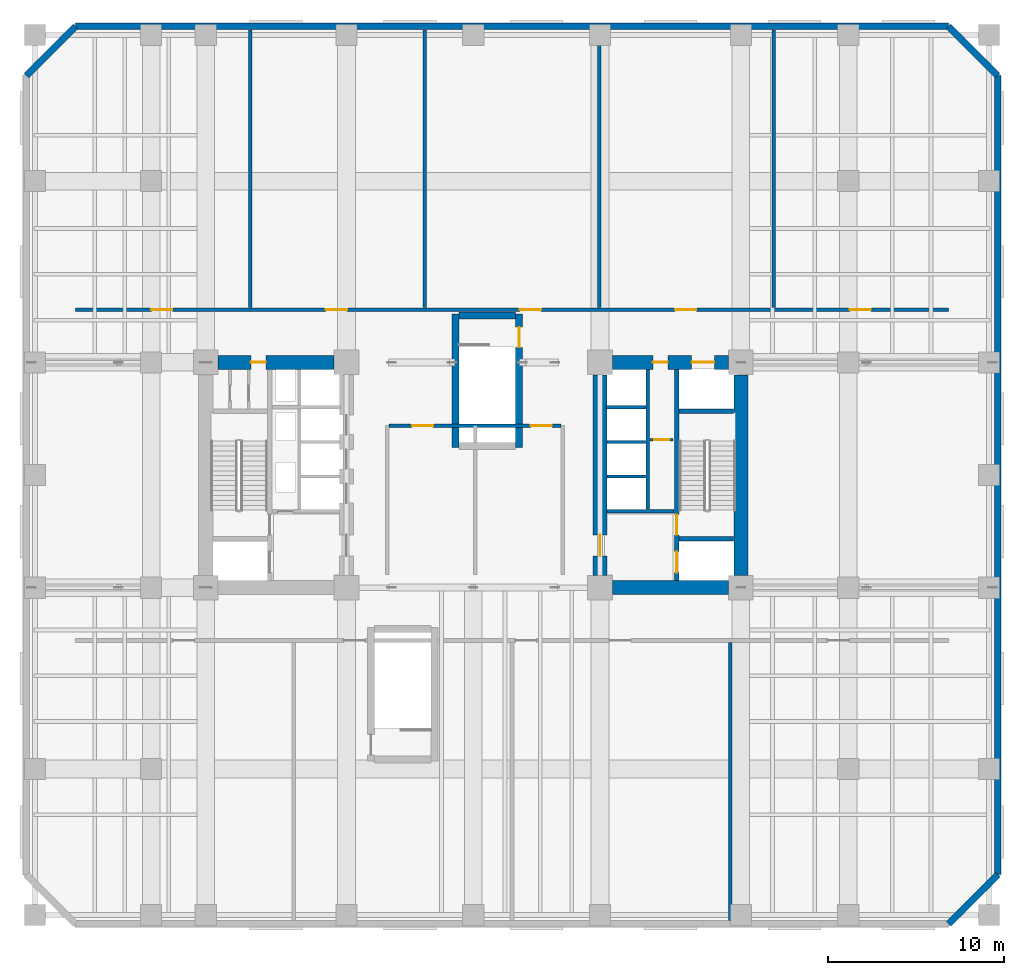
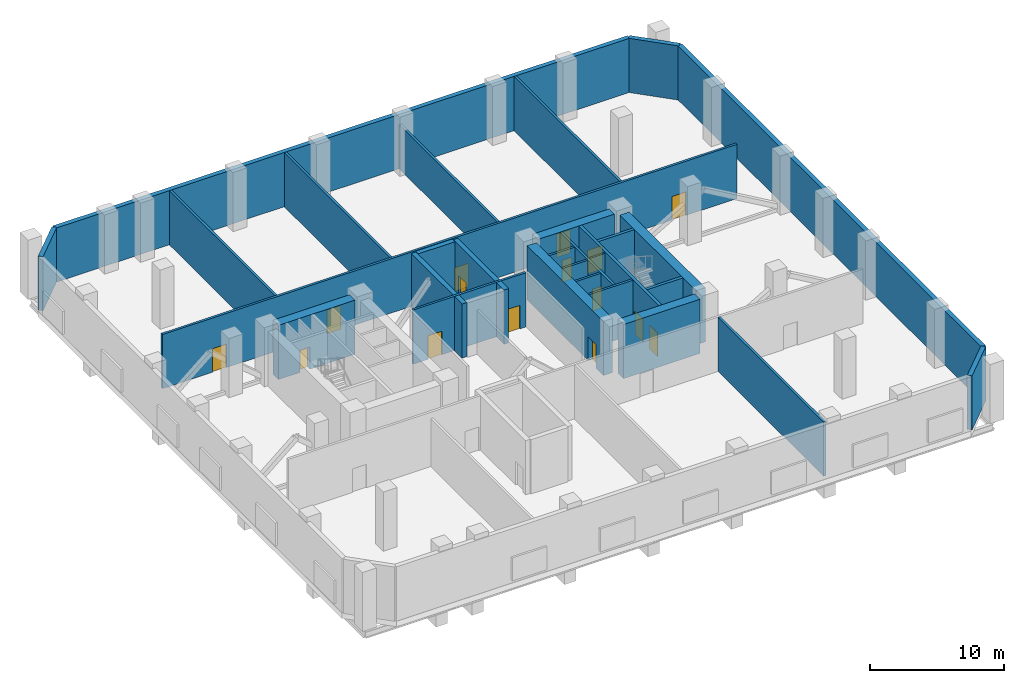
# One storey, part 8 of 13: 29 walls, 15 doors, 15 openings.
"""IFC4 building model written with IfcOpenShell, lengths in metres."""

from ifc_helpers import new_model, si_unit, direction, frame, frame_2d, origin, place, context, subcontext, project, spatial, rectangle, extrude, material, layer, layer_set, type_object, element, fill, save


model = new_model("IFC4")

# Units and contexts
model_context = context("Model", 3, precision=1e-05, world=origin(), true_north=direction((0.0, 1.0)))
body_context = subcontext(model_context, "Body", "Model", "MODEL_VIEW")
ifc_project = project(units=[si_unit("LENGTHUNIT", "METRE"), si_unit("AREAUNIT", "SQUARE_METRE"), si_unit("VOLUMEUNIT", "CUBIC_METRE"), si_unit("PLANEANGLEUNIT", "RADIAN"), si_unit("MASSUNIT", "GRAM", prefix="KILO")], contexts=[model_context])

# Site, building, storey
site_placement = place(None, origin())
site = spatial("IfcSite", under=ifc_project, at=site_placement, CompositionType="ELEMENT")
building_placement = place(site_placement, origin())
building = spatial("IfcBuilding", under=site, at=building_placement, Name="Kranthara Brick Stack", CompositionType="ELEMENT")
storey_placement = place(building_placement, frame((0.0, 0.0, 18.89990234375)))
storey = spatial("IfcBuildingStorey", under=building, at=storey_placement, Name="L04", CompositionType="ELEMENT", Elevation=18.89990234375)

# Walls
ifc_material_1 = material(Name="Kiln-fired clay brick masonry M15", Category="masonry")
ifc_layer_1 = layer(ifc_material_1, 0.3798828125)
ifc_layer_set_1 = layer_set([ifc_layer_1], Name="Kiln-fired clay brick masonry M15")
wall_type_1 = type_object("IfcWallType", Name="WL-BRK-PIER-380", PredefinedType="STANDARD", material=ifc_layer_set_1)
wall_1_placement = place(storey_placement, frame((2.610107421875, 49.89990234375, 0.0), z_axis=(0.0, 0.0, 1.0), x_axis=(0.707075841688, 0.707137719332, 0.0)))
element("IfcWall", 1, at=wall_1_placement, inside=storey, type_object=wall_type_1, Name="L04 Exterior Brick Facade Wall NW 1", PredefinedType="STANDARD", context=body_context, shape_type="SweptSolid", body=[
    extrude(rectangle(XDim=3.945556640625, YDim=0.3798828125, at=frame_2d((1.97265625, 0.0))), origin(), (0.0, 0.0, 1.0), 4.9501953125),
])
wall_2_placement = place(storey_placement, frame((5.39990234375, 52.68994140625, 0.0), z_axis=(0.0, 0.0, 1.0), x_axis=(1.0, 0.0, 0.0)))
element("IfcWall", 2, at=wall_2_placement, inside=storey, type_object=wall_type_1, Name="L04 Exterior Brick Facade Wall NORTH 1", PredefinedType="STANDARD", context=body_context, shape_type="SweptSolid", body=[
    extrude(rectangle(XDim=49.60009765625, YDim=0.3798828125, at=frame_2d((24.800048828125, 0.0))), origin(), (0.0, 0.0, 1.0), 4.9501953125),
])
wall_3_placement = place(storey_placement, frame((55.0, 52.68994140625, 0.0), z_axis=(0.0, 0.0, 1.0), x_axis=(0.707106781187, -0.707106781187, 0.0)))
element("IfcWall", 3, at=wall_3_placement, inside=storey, type_object=wall_type_1, Name="L04 Exterior Brick Facade Wall NE 1", PredefinedType="STANDARD", context=body_context, shape_type="SweptSolid", body=[
    extrude(rectangle(XDim=3.94580078125, YDim=0.3798828125, at=frame_2d((1.972900390625, 0.0))), origin(), (0.0, 0.0, 1.0), 4.9501953125),
])
wall_4_placement = place(storey_placement, frame((57.7900390625, 49.89990234375, 0.0), z_axis=(0.0, 0.0, 1.0), x_axis=(0.0, -1.0, 0.0)))
element("IfcWall", 4, at=wall_4_placement, inside=storey, type_object=wall_type_1, Name="L04 Exterior Brick Facade Wall EAST 1", PredefinedType="STANDARD", context=body_context, shape_type="SweptSolid", body=[
    extrude(rectangle(XDim=45.39990234375, YDim=0.3798828125, at=frame_2d((22.699951171875, 0.0))), origin(), (0.0, 0.0, 1.0), 4.9501953125),
])
wall_5_placement = place(storey_placement, frame((57.7900390625, 4.5, 0.0), z_axis=(0.0, 0.0, 1.0), x_axis=(-0.707106781187, -0.707106781187, 0.0)))
element("IfcWall", 5, at=wall_5_placement, inside=storey, type_object=wall_type_1, Name="L04 Exterior Brick Facade Wall SE 1", PredefinedType="STANDARD", context=body_context, shape_type="SweptSolid", body=[
    extrude(rectangle(XDim=3.94580078125, YDim=0.3798828125, at=frame_2d((1.972900390625, 0.0))), origin(), (0.0, 0.0, 1.0), 4.9501953125),
])

# Wall, openings, doors
ifc_material_2 = material(Name="Concrete C50/60", Category="concrete")
ifc_layer_2 = layer(ifc_material_2, 0.25)
ifc_layer_set_2 = layer_set([ifc_layer_2], Name="Concrete C50/60")
wall_type_2 = type_object("IfcWallType", Name="WL-CORE-250", PredefinedType="SHEAR", material=ifc_layer_set_2)
wall_6_placement = place(storey_placement, frame((39.56494140625, 21.2099609375, 0.0), z_axis=(0.0, 0.0, 1.0), x_axis=(0.0, 1.0, 0.0)))
wall_6 = element("IfcWall", 6, at=wall_6_placement, inside=storey, type_object=wall_type_2, Name="L04 East Core Stair Bearing Spine Wall", PredefinedType="SHEAR", context=body_context, shape_type="SweptSolid", body=[
    extrude(rectangle(XDim=11.97998046875, YDim=0.25, at=frame_2d((5.989990234375, 0.0))), origin(), (0.0, 0.0, 1.0), 4.9501953125),
])
opening_1_placement = place(wall_6_placement, frame((0.43994140625, 0.0, 0.0)))
opening_1 = element("IfcOpeningElement", 7, at=opening_1_placement, cuts=wall_6, Name="Opening LD01", PredefinedType="OPENING", context=body_context, shape_type="SweptSolid", body=[
    extrude(rectangle(XDim=1.199951171875, YDim=2.14990234375, at=frame_2d((0.60009765625, 1.074951171875))), frame((0.0, 0.135009765625, 0.0), z_axis=(0.0, -1.0, 0.0), x_axis=(1.0, 0.0, 0.0)), (0.0, 0.0, 1.0), 0.27001953125),
])
opening_2_placement = place(wall_6_placement, frame((2.590087890625, 0.0, 0.0)))
opening_2 = element("IfcOpeningElement", 8, at=opening_2_placement, cuts=wall_6, Name="Opening D05", PredefinedType="OPENING", context=body_context, shape_type="SweptSolid", body=[
    extrude(rectangle(XDim=1.14990234375, YDim=2.14990234375, at=frame_2d((0.574951171875, 1.074951171875))), frame((0.0, 0.135009765625, 0.0), z_axis=(0.0, -1.0, 0.0), x_axis=(1.0, 0.0, 0.0)), (0.0, 0.0, 1.0), 0.27001953125),
])
ifc_material_3 = material(Name="Stainless steel sliding landing door", Category="steel")
door_type_1 = type_object("IfcDoorType", Name="DR-LD-FF1200", OperationType="DOUBLE_DOOR_SLIDING", PredefinedType="DOOR", material=ifc_material_3)
door_1_placement = place(opening_1_placement, origin())
door_1 = element("IfcDoor", 9, at=door_1_placement, inside=storey, type_object=door_type_1, Name="L04 Firefighting Lift FF-02 Landing Door", OperationType="DOUBLE_DOOR_SLIDING", OverallHeight=2.14990234375, OverallWidth=1.199951171875, PredefinedType="DOOR", context=body_context, shape_type="SweptSolid", body=[
    extrude(rectangle(XDim=1.199951171875, YDim=2.14990234375, at=frame_2d((0.60009765625, 1.074951171875))), frame((0.0, 0.02490234375, 0.0), z_axis=(0.0, -1.0, 0.0), x_axis=(1.0, 0.0, 0.0)), (0.0, 0.0, 1.0), 0.050048828125),
])
fill(opening_1, door_1)
ifc_material_4 = material(Name="Solid-core hardwood timber leaf in steel frame", Category="steel")
door_type_2 = type_object("IfcDoorType", Name="DR-ST-1150", OperationType="NOTDEFINED", PredefinedType="DOOR", material=ifc_material_4)
door_2_placement = place(opening_2_placement, origin())
door_2 = element("IfcDoor", 10, at=door_2_placement, inside=storey, type_object=door_type_2, Name="L04 Exit Stair ST02 Door", OperationType="SINGLE_SWING_LEFT", OverallHeight=2.14990234375, OverallWidth=1.14990234375, PredefinedType="DOOR", context=body_context, shape_type="SweptSolid", body=[
    extrude(rectangle(XDim=1.14990234375, YDim=2.14990234375, at=frame_2d((0.574951171875, 1.074951171875))), frame((0.0, 0.02490234375, 0.0), z_axis=(0.0, -1.0, 0.0), x_axis=(1.0, 0.0, 0.0)), (0.0, 0.0, 1.0), 0.050048828125),
])
fill(opening_2, door_2)

# Walls
for number, where, z_axis, x_axis, name in (
    (11, (39.68994140625, 23.570068359375, 0.0), (0.0, 0.0, 1.0), (1.0, 0.0, 0.0), "L04 East Stairwell Bearing Wall EFF"),
    (12, (39.68994140625, 30.830078125, 0.0), (0.0, 0.0, 1.0), (1.0, 0.0, 0.0), "L04 East Stairwell Bearing Wall EST"),
):
    element("IfcWall", number, at=place(storey_placement, frame(where, z_axis=z_axis, x_axis=x_axis)), inside=storey, type_object=wall_type_2, Name=name, PredefinedType="SHEAR", context=body_context, shape_type="SweptSolid", body=[
        extrude(rectangle(XDim=3.10009765625, YDim=0.25, at=frame_2d((1.550048828125, 0.0))), origin(), (0.0, 0.0, 1.0), 4.9501953125),
    ])
ifc_material_5 = material(Name="Concrete C50/60", Category="concrete")
ifc_layer_3 = layer(ifc_material_5, 0.39990234375)
ifc_layer_set_3 = layer_set([ifc_layer_3], Name="Concrete C50/60")
wall_type_3 = type_object("IfcWallType", Name="WL-CORE-400", PredefinedType="SHEAR", material=ifc_layer_set_3)
wall_7_placement = place(storey_placement, frame((26.989990234375, 28.75, 0.0), z_axis=(0.0, 0.0, 1.0), x_axis=(0.0, 1.0, 0.0)))
element("IfcWall", 13, at=wall_7_placement, inside=storey, type_object=wall_type_3, Name="L04 Stair ST04 Bearing Wall W", PredefinedType="SHEAR", context=body_context, shape_type="SweptSolid", body=[
    extrude(rectangle(XDim=7.60009765625, YDim=0.39990234375, at=frame_2d((3.800048828125, 0.0))), origin(), (0.0, 0.0, 1.0), 4.9501953125),
])

# Wall, opening, door
wall_8_placement = place(storey_placement, frame((30.610107421875, 28.75, 0.0), z_axis=(0.0, 0.0, 1.0), x_axis=(0.0, 1.0, 0.0)))
wall_8 = element("IfcWall", 14, at=wall_8_placement, inside=storey, type_object=wall_type_3, Name="L04 Stair ST04 Bearing Wall E", PredefinedType="SHEAR", context=body_context, shape_type="SweptSolid", body=[
    extrude(rectangle(XDim=7.60009765625, YDim=0.39990234375, at=frame_2d((3.800048828125, 0.0))), origin(), (0.0, 0.0, 1.0), 4.9501953125),
])
opening_3_placement = place(wall_8_placement, frame((5.699951171875, 0.0, 0.0)))
opening_3 = element("IfcOpeningElement", 15, at=opening_3_placement, cuts=wall_8, Name="Opening D05", PredefinedType="OPENING", context=body_context, shape_type="SweptSolid", body=[
    extrude(rectangle(XDim=1.14990234375, YDim=2.14990234375, at=frame_2d((0.574951171875, 1.074951171875))), frame((0.0, 0.2099609375, 0.0), z_axis=(0.0, -1.0, 0.0), x_axis=(1.0, 0.0, 0.0)), (0.0, 0.0, 1.0), 0.419921875),
])
door_3_placement = place(opening_3_placement, origin())
door_3 = element("IfcDoor", 16, at=door_3_placement, inside=storey, type_object=door_type_2, Name="L04 Stair ST04 Door", OperationType="SINGLE_SWING_RIGHT", OverallHeight=2.14990234375, OverallWidth=1.14990234375, PredefinedType="DOOR", context=body_context, shape_type="SweptSolid", body=[
    extrude(rectangle(XDim=1.14990234375, YDim=2.14990234375, at=frame_2d((0.574951171875, 1.074951171875))), frame((0.0, 0.02490234375, 0.0), z_axis=(0.0, -1.0, 0.0), x_axis=(1.0, 0.0, 0.0)), (0.0, 0.0, 1.0), 0.050048828125),
])
fill(opening_3, door_3)

# Wall
wall_9_placement = place(storey_placement, frame((27.199951171875, 36.25, 0.0), z_axis=(0.0, 0.0, 1.0), x_axis=(1.0, 0.0, 0.0)))
element("IfcWall", 17, at=wall_9_placement, inside=storey, type_object=wall_type_3, Name="L04 Stair ST04 Bearing Wall N", PredefinedType="SHEAR", context=body_context, shape_type="SweptSolid", body=[
    extrude(rectangle(XDim=3.199951171875, YDim=0.39990234375, at=frame_2d((1.60009765625, 0.0))), origin(), (0.0, 0.0, 1.0), 4.9501953125),
])

# Wall, opening, door
ifc_material_6 = material(Name="Concrete C70/85", Category="concrete")
ifc_layer_4 = layer(ifc_material_6, 0.800048828125)
ifc_layer_set_4 = layer_set([ifc_layer_4], Name="Concrete C70/85")
wall_type_4 = type_object("IfcWallType", Name="WL-CORE-800", PredefinedType="SHEAR", material=ifc_layer_set_4)
wall_10_placement = place(storey_placement, frame((13.5048828125, 33.60009765625, 0.0), z_axis=(0.0, 0.0, 1.0), x_axis=(1.0, 0.0, 0.0)))
wall_10 = element("IfcWall", 18, at=wall_10_placement, inside=storey, type_object=wall_type_4, Name="L04 West Core Shear Wall North", PredefinedType="SHEAR", context=body_context, shape_type="SweptSolid", body=[
    extrude(rectangle(XDim=6.590087890625, YDim=0.800048828125, at=frame_2d((3.294921875, 0.0))), origin(), (0.0, 0.0, 1.0), 4.9501953125),
])
opening_4_placement = place(wall_10_placement, frame((1.864990234375, 0.0, 0.0)))
opening_4 = element("IfcOpeningElement", 19, at=opening_4_placement, cuts=wall_10, Name="Opening D10", PredefinedType="OPENING", context=body_context, shape_type="SweptSolid", body=[
    extrude(rectangle(XDim=0.85009765625, YDim=2.02001953125, at=frame_2d((0.425048828125, 1.010009765625))), frame((0.0, 0.409912109375, 0.0), z_axis=(0.0, -1.0, 0.0), x_axis=(1.0, 0.0, 0.0)), (0.0, 0.0, 1.0), 0.820068359375),
])
ifc_material_7 = material(Name="Solid-core hardwood timber leaf in steel frame", Category="steel")
door_type_3 = type_object("IfcDoorType", Name="DR-RSR-850", OperationType="NOTDEFINED", PredefinedType="DOOR", material=ifc_material_7)
door_4_placement = place(opening_4_placement, origin())
door_4 = element("IfcDoor", 20, at=door_4_placement, inside=storey, type_object=door_type_3, Name="L04 West Core Service Door 1", OperationType="SINGLE_SWING_RIGHT", OverallHeight=2.02001953125, OverallWidth=0.85009765625, PredefinedType="DOOR", context=body_context, shape_type="SweptSolid", body=[
    extrude(rectangle(XDim=0.85009765625, YDim=2.02001953125, at=frame_2d((0.425048828125, 1.010009765625))), frame((0.0, 0.02490234375, 0.0), z_axis=(0.0, -1.0, 0.0), x_axis=(1.0, 0.0, 0.0)), (0.0, 0.0, 1.0), 0.050048828125),
])
fill(opening_4, door_4)

# Walls
wall_11_placement = place(storey_placement, frame((43.199951171875, 21.5048828125, 0.0), z_axis=(0.0, 0.0, 1.0), x_axis=(0.0, 1.0, 0.0)))
element("IfcWall", 21, at=wall_11_placement, inside=storey, type_object=wall_type_4, Name="L04 East Core Shear Wall East", PredefinedType="SHEAR", context=body_context, shape_type="SweptSolid", body=[
    extrude(rectangle(XDim=11.39013671875, YDim=0.800048828125, at=frame_2d((5.695068359375, 0.0))), origin(), (0.0, 0.0, 1.0), 4.9501953125),
])
wall_12_placement = place(storey_placement, frame((35.905029296875, 20.800048828125, 0.0), z_axis=(0.0, 0.0, 1.0), x_axis=(1.0, 0.0, 0.0)))
element("IfcWall", 22, at=wall_12_placement, inside=storey, type_object=wall_type_4, Name="L04 East Core Shear Wall South", PredefinedType="SHEAR", context=body_context, shape_type="SweptSolid", body=[
    extrude(rectangle(XDim=6.590087890625, YDim=0.800048828125, at=frame_2d((3.294921875, 0.0))), origin(), (0.0, 0.0, 1.0), 4.9501953125),
])

# Wall, openings, doors
wall_13_placement = place(storey_placement, frame((35.905029296875, 33.60009765625, 0.0), z_axis=(0.0, 0.0, 1.0), x_axis=(1.0, 0.0, 0.0)))
wall_13 = element("IfcWall", 23, at=wall_13_placement, inside=storey, type_object=wall_type_4, Name="L04 East Core Shear Wall North", PredefinedType="SHEAR", context=body_context, shape_type="SweptSolid", body=[
    extrude(rectangle(XDim=6.590087890625, YDim=0.800048828125, at=frame_2d((3.294921875, 0.0))), origin(), (0.0, 0.0, 1.0), 4.9501953125),
])
opening_5_placement = place(wall_13_placement, frame((4.4951171875, 0.0, 0.0)))
opening_5 = element("IfcOpeningElement", 24, at=opening_5_placement, cuts=wall_13, Name="Opening LD03", PredefinedType="OPENING", context=body_context, shape_type="SweptSolid", body=[
    extrude(rectangle(XDim=1.300048828125, YDim=2.14990234375, at=frame_2d((0.64990234375, 1.074951171875))), frame((0.0, 0.409912109375, 0.0), z_axis=(0.0, -1.0, 0.0), x_axis=(1.0, 0.0, 0.0)), (0.0, 0.0, 1.0), 0.820068359375),
])
opening_6_placement = place(wall_13_placement, frame((2.294921875, 0.0, 0.0)))
opening_6 = element("IfcOpeningElement", 25, at=opening_6_placement, cuts=wall_13, Name="Opening D10", PredefinedType="OPENING", context=body_context, shape_type="SweptSolid", body=[
    extrude(rectangle(XDim=0.85009765625, YDim=2.02001953125, at=frame_2d((0.425048828125, 1.010009765625))), frame((0.0, 0.409912109375, 0.0), z_axis=(0.0, -1.0, 0.0), x_axis=(1.0, 0.0, 0.0)), (0.0, 0.0, 1.0), 0.820068359375),
])
ifc_material_8 = material(Name="Stainless steel sliding landing door", Category="steel")
door_type_4 = type_object("IfcDoorType", Name="DR-LD-SV1300", OperationType="DOUBLE_DOOR_SLIDING", PredefinedType="DOOR", material=ifc_material_8)
door_5_placement = place(opening_5_placement, origin())
door_5 = element("IfcDoor", 26, at=door_5_placement, inside=storey, type_object=door_type_4, Name="L04 Stretcher Service Lift SV-01 Landing Door", OperationType="DOUBLE_DOOR_SLIDING", OverallHeight=2.14990234375, OverallWidth=1.300048828125, PredefinedType="DOOR", context=body_context, shape_type="SweptSolid", body=[
    extrude(rectangle(XDim=1.300048828125, YDim=2.14990234375, at=frame_2d((0.64990234375, 1.074951171875))), frame((0.0, 0.02490234375, 0.0), z_axis=(0.0, -1.0, 0.0), x_axis=(1.0, 0.0, 0.0)), (0.0, 0.0, 1.0), 0.050048828125),
])
fill(opening_5, door_5)
door_6_placement = place(opening_6_placement, origin())
door_6 = element("IfcDoor", 27, at=door_6_placement, inside=storey, type_object=door_type_3, Name="L04 East Core Service Room Door", OperationType="SINGLE_SWING_LEFT", OverallHeight=2.02001953125, OverallWidth=0.85009765625, PredefinedType="DOOR", context=body_context, shape_type="SweptSolid", body=[
    extrude(rectangle(XDim=0.85009765625, YDim=2.02001953125, at=frame_2d((0.425048828125, 1.010009765625))), frame((0.0, 0.02490234375, 0.0), z_axis=(0.0, -1.0, 0.0), x_axis=(1.0, 0.0, 0.0)), (0.0, 0.0, 1.0), 0.050048828125),
])
fill(opening_6, door_6)

# Wall, opening, door
wall_14_placement = place(storey_placement, frame((35.199951171875, 21.5048828125, 0.0), z_axis=(0.0, 0.0, 1.0), x_axis=(0.0, 1.0, 0.0)))
wall_14 = element("IfcWall", 28, at=wall_14_placement, inside=storey, type_object=wall_type_4, Name="L04 East Core Shear Wall West", PredefinedType="SHEAR", context=body_context, shape_type="SweptSolid", body=[
    extrude(rectangle(XDim=11.39013671875, YDim=0.800048828125, at=frame_2d((5.695068359375, 0.0))), origin(), (0.0, 0.0, 1.0), 4.9501953125),
])
opening_7_placement = place(wall_14_placement, frame((1.094970703125, 0.0, 0.0)))
opening_7 = element("IfcOpeningElement", 29, at=opening_7_placement, cuts=wall_14, Name="Opening D06", PredefinedType="OPENING", context=body_context, shape_type="SweptSolid", body=[
    extrude(rectangle(XDim=1.199951171875, YDim=2.14990234375, at=frame_2d((0.60009765625, 1.074951171875))), frame((0.0, 0.409912109375, 0.0), z_axis=(0.0, -1.0, 0.0), x_axis=(1.0, 0.0, 0.0)), (0.0, 0.0, 1.0), 0.820068359375),
])
ifc_material_9 = material(Name="Solid-core hardwood timber leaf in steel frame", Category="steel")
door_type_5 = type_object("IfcDoorType", Name="DR-FFL-1200", OperationType="NOTDEFINED", PredefinedType="DOOR", material=ifc_material_9)
door_7_placement = place(opening_7_placement, origin())
door_7 = element("IfcDoor", 30, at=door_7_placement, inside=storey, type_object=door_type_5, Name="L04 East Firefighting Lobby Door", OperationType="SINGLE_SWING_RIGHT", OverallHeight=2.14990234375, OverallWidth=1.199951171875, PredefinedType="DOOR", context=body_context, shape_type="SweptSolid", body=[
    extrude(rectangle(XDim=1.199951171875, YDim=2.14990234375, at=frame_2d((0.60009765625, 1.074951171875))), frame((0.0, 0.02490234375, 0.0), z_axis=(0.0, -1.0, 0.0), x_axis=(1.0, 0.0, 0.0)), (0.0, 0.0, 1.0), 0.050048828125),
])
fill(opening_7, door_7)

ifc_material_10 = material(Name="Fire-rated gypsum board partition", Category="other")
ifc_layer_5 = layer(ifc_material_10, 0.14990234375)
ifc_layer_set_5 = layer_set([ifc_layer_5], Name="Fire-rated gypsum board partition")
wall_type_5 = type_object("IfcWallType", Name="WL-PART-150", PredefinedType="PARTITIONING", material=ifc_layer_set_5)
wall_15_placement = place(storey_placement, frame((38.050048828125, 29.199951171875, 0.0), z_axis=(0.0, 0.0, 1.0), x_axis=(1.0, 0.0, 0.0)))
wall_15 = element("IfcWall", 31, at=wall_15_placement, inside=storey, type_object=wall_type_5, Name="L04 Interior Partition 003", PredefinedType="PARTITIONING", context=body_context, shape_type="SweptSolid", body=[
    extrude(rectangle(XDim=1.300048828125, YDim=0.14990234375, at=frame_2d((0.64990234375, 0.0))), origin(), (0.0, 0.0, 1.0), 4.9501953125),
])
opening_8_placement = place(wall_15_placement, frame((0.219970703125, 0.0, 0.0)))
opening_8 = element("IfcOpeningElement", 32, at=opening_8_placement, cuts=wall_15, Name="Opening D10", PredefinedType="OPENING", context=body_context, shape_type="SweptSolid", body=[
    extrude(rectangle(XDim=0.85009765625, YDim=2.02001953125, at=frame_2d((0.425048828125, 1.010009765625))), frame((0.0, 0.0849609375, 0.0), z_axis=(0.0, -1.0, 0.0), x_axis=(1.0, 0.0, 0.0)), (0.0, 0.0, 1.0), 0.169921875),
])
door_8_placement = place(opening_8_placement, origin())
door_8 = element("IfcDoor", 33, at=door_8_placement, inside=storey, type_object=door_type_3, Name="L04 East Service Door 03", OperationType="SINGLE_SWING_LEFT", OverallHeight=2.02001953125, OverallWidth=0.85009765625, PredefinedType="DOOR", context=body_context, shape_type="SweptSolid", body=[
    extrude(rectangle(XDim=0.85009765625, YDim=2.02001953125, at=frame_2d((0.425048828125, 1.010009765625))), frame((0.0, 0.02490234375, 0.0), z_axis=(0.0, -1.0, 0.0), x_axis=(1.0, 0.0, 0.0)), (0.0, 0.0, 1.0), 0.050048828125),
])
fill(opening_8, door_8)

# Walls
ifc_material_11 = material(Name="Gypsum plasterboard on acoustic twin stud", Category="other")
ifc_layer_6 = layer(ifc_material_11, 0.179931640625)
ifc_layer_set_6 = layer_set([ifc_layer_6], Name="Gypsum plasterboard on acoustic twin stud")
wall_type_6 = type_object("IfcWallType", Name="WL-PART-180", PredefinedType="PARTITIONING", material=ifc_layer_set_6)
for number, where, z_axis, x_axis, name in (
    (34, (35.610107421875, 27.1201171875, 0.0), (0.0, 0.0, 1.0), (1.0, 0.0, 0.0), "L04 East Hoistway Wall EH1"),
    (35, (35.610107421875, 29.080078125, 0.0), (0.0, 0.0, 1.0), (1.0, 0.0, 0.0), "L04 East Hoistway Wall EH2"),
):
    element("IfcWall", number, at=place(storey_placement, frame(where, z_axis=z_axis, x_axis=x_axis)), inside=storey, type_object=wall_type_6, Name=name, PredefinedType="PARTITIONING", context=body_context, shape_type="SweptSolid", body=[
        extrude(rectangle(XDim=2.169921875, YDim=0.179931640625, at=frame_2d((1.0849609375, 0.0))), origin(), (0.0, 0.0, 1.0), 4.9501953125),
    ])
ifc_material_12 = material(Name="Concrete C40/50", Category="concrete")
ifc_layer_7 = layer(ifc_material_12, 0.199951171875)
ifc_layer_set_7 = layer_set([ifc_layer_7], Name="Concrete C40/50")
wall_type_7 = type_object("IfcWallType", Name="WL-PART-200", PredefinedType="SOLIDWALL", material=ifc_layer_set_7)
wall_16_placement = place(storey_placement, frame((35.610107421875, 25.14990234375, 0.0), z_axis=(0.0, 0.0, 1.0), x_axis=(1.0, 0.0, 0.0)))
element("IfcWall", 36, at=wall_16_placement, inside=storey, type_object=wall_type_7, Name="L04 East Core Cross Wall EFL", PredefinedType="SOLIDWALL", context=body_context, shape_type="SweptSolid", body=[
    extrude(rectangle(XDim=3.789794921875, YDim=0.199951171875, at=frame_2d((1.89501953125, 0.0))), origin(), (0.0, 0.0, 1.0), 4.9501953125),
])
wall_17_placement = place(storey_placement, frame((35.550048828125, 31.050048828125, 0.0), z_axis=(0.0, 0.0, 1.0), x_axis=(1.0, 0.0, 0.0)))
element("IfcWall", 37, at=wall_17_placement, inside=storey, type_object=wall_type_7, Name="L04 East Core Cross Wall EE4", PredefinedType="SOLIDWALL", context=body_context, shape_type="SweptSolid", body=[
    extrude(rectangle(XDim=2.25, YDim=0.199951171875, at=frame_2d((1.125, 0.0))), origin(), (0.0, 0.0, 1.0), 4.9501953125),
])
wall_18_placement = place(storey_placement, frame((37.89990234375, 25.27001953125, 0.0), z_axis=(0.0, 0.0, 1.0), x_axis=(0.0, 1.0, 0.0)))
element("IfcWall", 38, at=wall_18_placement, inside=storey, type_object=wall_type_7, Name="L04 East Core Cross Wall ESV", PredefinedType="SOLIDWALL", context=body_context, shape_type="SweptSolid", body=[
    extrude(rectangle(XDim=7.919921875, YDim=0.199951171875, at=frame_2d((3.9599609375, 0.0))), origin(), (0.0, 0.0, 1.0), 4.9501953125),
])

# Wall, openings, doors
wall_19_placement = place(storey_placement, frame((5.39990234375, 36.60009765625, 0.0), z_axis=(0.0, 0.0, 1.0), x_axis=(1.0, 0.0, 0.0)))
wall_19 = element("IfcWall", 39, at=wall_19_placement, inside=storey, type_object=wall_type_7, Name="L04 Interior Partition 005", PredefinedType="SOLIDWALL", context=body_context, shape_type="SweptSolid", body=[
    extrude(rectangle(XDim=49.60009765625, YDim=0.199951171875, at=frame_2d((24.800048828125, 0.0))), origin(), (0.0, 0.0, 1.0), 4.9501953125),
])
opening_9_placement = place(wall_19_placement, frame((4.31005859375, 0.0, 0.0)))
opening_9 = element("IfcOpeningElement", 40, at=opening_9_placement, cuts=wall_19, Name="Opening D21", PredefinedType="OPENING", context=body_context, shape_type="SweptSolid", body=[
    extrude(rectangle(XDim=1.199951171875, YDim=2.14990234375, at=frame_2d((0.60009765625, 1.074951171875))), frame((0.0, 0.10986328125, 0.0), z_axis=(0.0, -1.0, 0.0), x_axis=(1.0, 0.0, 0.0)), (0.0, 0.0, 1.0), 0.219970703125),
])
opening_10_placement = place(wall_19_placement, frame((14.22998046875, 0.0, 0.0)))
opening_10 = element("IfcOpeningElement", 41, at=opening_10_placement, cuts=wall_19, Name="Opening D21", PredefinedType="OPENING", context=body_context, shape_type="SweptSolid", body=[
    extrude(rectangle(XDim=1.199951171875, YDim=2.14990234375, at=frame_2d((0.60009765625, 1.074951171875))), frame((0.0, 0.10986328125, 0.0), z_axis=(0.0, -1.0, 0.0), x_axis=(1.0, 0.0, 0.0)), (0.0, 0.0, 1.0), 0.219970703125),
])
opening_11_placement = place(wall_19_placement, frame((25.25, 0.0, 0.0)))
opening_11 = element("IfcOpeningElement", 42, at=opening_11_placement, cuts=wall_19, Name="Opening D21", PredefinedType="OPENING", context=body_context, shape_type="SweptSolid", body=[
    extrude(rectangle(XDim=1.199951171875, YDim=2.14990234375, at=frame_2d((0.60009765625, 1.074951171875))), frame((0.0, 0.10986328125, 0.0), z_axis=(0.0, -1.0, 0.0), x_axis=(1.0, 0.0, 0.0)), (0.0, 0.0, 1.0), 0.219970703125),
])
opening_12_placement = place(wall_19_placement, frame((34.070068359375, 0.0, 0.0)))
opening_12 = element("IfcOpeningElement", 43, at=opening_12_placement, cuts=wall_19, Name="Opening D21", PredefinedType="OPENING", context=body_context, shape_type="SweptSolid", body=[
    extrude(rectangle(XDim=1.199951171875, YDim=2.14990234375, at=frame_2d((0.60009765625, 1.074951171875))), frame((0.0, 0.10986328125, 0.0), z_axis=(0.0, -1.0, 0.0), x_axis=(1.0, 0.0, 0.0)), (0.0, 0.0, 1.0), 0.219970703125),
])
opening_13_placement = place(wall_19_placement, frame((43.989990234375, 0.0, 0.0)))
opening_13 = element("IfcOpeningElement", 44, at=opening_13_placement, cuts=wall_19, Name="Opening D21", PredefinedType="OPENING", context=body_context, shape_type="SweptSolid", body=[
    extrude(rectangle(XDim=1.199951171875, YDim=2.14990234375, at=frame_2d((0.60009765625, 1.074951171875))), frame((0.0, 0.10986328125, 0.0), z_axis=(0.0, -1.0, 0.0), x_axis=(1.0, 0.0, 0.0)), (0.0, 0.0, 1.0), 0.219970703125),
])
ifc_material_13 = material(Name="Solid-core hardwood timber leaf in steel frame", Category="steel")
door_type_6 = type_object("IfcDoorType", Name="DR-FD-1200", OperationType="NOTDEFINED", PredefinedType="DOOR", material=ifc_material_13)
door_9_placement = place(opening_9_placement, origin())
door_9 = element("IfcDoor", 45, at=door_9_placement, inside=storey, type_object=door_type_6, Name="L04 North Plant 4 10", OperationType="SINGLE_SWING_RIGHT", OverallHeight=2.14990234375, OverallWidth=1.199951171875, PredefinedType="DOOR", context=body_context, shape_type="SweptSolid", body=[
    extrude(rectangle(XDim=1.199951171875, YDim=2.14990234375, at=frame_2d((0.60009765625, 1.074951171875))), frame((0.0, 0.02490234375, 0.0), z_axis=(0.0, -1.0, 0.0), x_axis=(1.0, 0.0, 0.0)), (0.0, 0.0, 1.0), 0.050048828125),
])
fill(opening_9, door_9)
door_10_placement = place(opening_10_placement, origin())
door_10 = element("IfcDoor", 46, at=door_10_placement, inside=storey, type_object=door_type_6, Name="L04 North Plant 5 11", OperationType="SINGLE_SWING_LEFT", OverallHeight=2.14990234375, OverallWidth=1.199951171875, PredefinedType="DOOR", context=body_context, shape_type="SweptSolid", body=[
    extrude(rectangle(XDim=1.199951171875, YDim=2.14990234375, at=frame_2d((0.60009765625, 1.074951171875))), frame((0.0, 0.02490234375, 0.0), z_axis=(0.0, -1.0, 0.0), x_axis=(1.0, 0.0, 0.0)), (0.0, 0.0, 1.0), 0.050048828125),
])
fill(opening_10, door_10)
door_11_placement = place(opening_11_placement, origin())
door_11 = element("IfcDoor", 47, at=door_11_placement, inside=storey, type_object=door_type_6, Name="L04 North Plant 6 12", OperationType="SINGLE_SWING_RIGHT", OverallHeight=2.14990234375, OverallWidth=1.199951171875, PredefinedType="DOOR", context=body_context, shape_type="SweptSolid", body=[
    extrude(rectangle(XDim=1.199951171875, YDim=2.14990234375, at=frame_2d((0.60009765625, 1.074951171875))), frame((0.0, 0.02490234375, 0.0), z_axis=(0.0, -1.0, 0.0), x_axis=(1.0, 0.0, 0.0)), (0.0, 0.0, 1.0), 0.050048828125),
])
fill(opening_11, door_11)
door_12_placement = place(opening_12_placement, origin())
door_12 = element("IfcDoor", 48, at=door_12_placement, inside=storey, type_object=door_type_6, Name="L04 North Plant 7 13", OperationType="SINGLE_SWING_LEFT", OverallHeight=2.14990234375, OverallWidth=1.199951171875, PredefinedType="DOOR", context=body_context, shape_type="SweptSolid", body=[
    extrude(rectangle(XDim=1.199951171875, YDim=2.14990234375, at=frame_2d((0.60009765625, 1.074951171875))), frame((0.0, 0.02490234375, 0.0), z_axis=(0.0, -1.0, 0.0), x_axis=(1.0, 0.0, 0.0)), (0.0, 0.0, 1.0), 0.050048828125),
])
fill(opening_12, door_12)
door_13_placement = place(opening_13_placement, origin())
door_13 = element("IfcDoor", 49, at=door_13_placement, inside=storey, type_object=door_type_6, Name="L04 North Plant 8 14", OperationType="SINGLE_SWING_RIGHT", OverallHeight=2.14990234375, OverallWidth=1.199951171875, PredefinedType="DOOR", context=body_context, shape_type="SweptSolid", body=[
    extrude(rectangle(XDim=1.199951171875, YDim=2.14990234375, at=frame_2d((0.60009765625, 1.074951171875))), frame((0.0, 0.02490234375, 0.0), z_axis=(0.0, -1.0, 0.0), x_axis=(1.0, 0.0, 0.0)), (0.0, 0.0, 1.0), 0.050048828125),
])
fill(opening_13, door_13)

wall_20_placement = place(storey_placement, frame((23.22509765625, 30.0, 0.0), z_axis=(0.0, 0.0, 1.0), x_axis=(1.0, 0.0, 0.0)))
wall_20 = element("IfcWall", 50, at=wall_20_placement, inside=storey, type_object=wall_type_7, Name="L04 Interior Partition 009", PredefinedType="SOLIDWALL", context=body_context, shape_type="SweptSolid", body=[
    extrude(rectangle(XDim=9.75, YDim=0.199951171875, at=frame_2d((4.875, 0.0))), origin(), (0.0, 0.0, 1.0), 4.9501953125),
])
opening_14_placement = place(wall_20_placement, frame((1.294921875, 0.0, 0.0)))
opening_14 = element("IfcOpeningElement", 51, at=opening_14_placement, cuts=wall_20, Name="Opening D21", PredefinedType="OPENING", context=body_context, shape_type="SweptSolid", body=[
    extrude(rectangle(XDim=1.199951171875, YDim=2.14990234375, at=frame_2d((0.60009765625, 1.074951171875))), frame((0.0, 0.10986328125, 0.0), z_axis=(0.0, -1.0, 0.0), x_axis=(1.0, 0.0, 0.0)), (0.0, 0.0, 1.0), 0.219970703125),
])
opening_15_placement = place(wall_20_placement, frame((8.044921875, 0.0, 0.0)))
opening_15 = element("IfcOpeningElement", 52, at=opening_15_placement, cuts=wall_20, Name="Opening D21", PredefinedType="OPENING", context=body_context, shape_type="SweptSolid", body=[
    extrude(rectangle(XDim=1.199951171875, YDim=2.14990234375, at=frame_2d((0.60009765625, 1.074951171875))), frame((0.0, 0.10986328125, 0.0), z_axis=(0.0, -1.0, 0.0), x_axis=(1.0, 0.0, 0.0)), (0.0, 0.0, 1.0), 0.219970703125),
])
door_14_placement = place(opening_14_placement, origin())
door_14 = element("IfcDoor", 53, at=door_14_placement, inside=storey, type_object=door_type_6, Name="L04 West Refuge Area Door 04", OperationType="SINGLE_SWING_RIGHT", OverallHeight=2.14990234375, OverallWidth=1.199951171875, PredefinedType="DOOR", context=body_context, shape_type="SweptSolid", body=[
    extrude(rectangle(XDim=1.199951171875, YDim=2.14990234375, at=frame_2d((0.60009765625, 1.074951171875))), frame((0.0, 0.02490234375, 0.0), z_axis=(0.0, -1.0, 0.0), x_axis=(1.0, 0.0, 0.0)), (0.0, 0.0, 1.0), 0.050048828125),
])
fill(opening_14, door_14)
door_15_placement = place(opening_15_placement, origin())
door_15 = element("IfcDoor", 54, at=door_15_placement, inside=storey, type_object=door_type_6, Name="L04 East Refuge Area Door 05", OperationType="SINGLE_SWING_LEFT", OverallHeight=2.14990234375, OverallWidth=1.199951171875, PredefinedType="DOOR", context=body_context, shape_type="SweptSolid", body=[
    extrude(rectangle(XDim=1.199951171875, YDim=2.14990234375, at=frame_2d((0.60009765625, 1.074951171875))), frame((0.0, 0.02490234375, 0.0), z_axis=(0.0, -1.0, 0.0), x_axis=(1.0, 0.0, 0.0)), (0.0, 0.0, 1.0), 0.050048828125),
])
fill(opening_15, door_15)

# Walls
for number, where, z_axis, x_axis, name in (
    (55, (42.60009765625, 1.905029296875, 0.0), (0.0, 0.0, 1.0), (0.0, 1.0, 0.0), "L04 Interior Partition 012"),
    (56, (15.320068359375, 36.705078125, 0.0), (0.0, 0.0, 1.0), (0.0, 1.0, 0.0), "L04 Interior Partition 013"),
    (57, (25.239990234375, 36.705078125, 0.0), (0.0, 0.0, 1.0), (0.0, 1.0, 0.0), "L04 Interior Partition 014"),
):
    element("IfcWall", number, at=place(storey_placement, frame(where, z_axis=z_axis, x_axis=x_axis)), inside=storey, type_object=wall_type_7, Name=name, PredefinedType="SOLIDWALL", context=body_context, shape_type="SweptSolid", body=[
        extrude(rectangle(XDim=15.7900390625, YDim=0.199951171875, at=frame_2d((7.89501953125, 0.0))), origin(), (0.0, 0.0, 1.0), 4.9501953125),
    ])
wall_21_placement = place(storey_placement, frame((35.159912109375, 36.705078125, 0.0), z_axis=(0.0, 0.0, 1.0), x_axis=(0.0, 1.0, 0.0)))
element("IfcWall", 58, at=wall_21_placement, inside=storey, type_object=wall_type_7, Name="L04 Interior Partition 015", PredefinedType="SOLIDWALL", context=body_context, shape_type="SweptSolid", body=[
    extrude(rectangle(XDim=15.7900390625, YDim=0.199951171875, at=frame_2d((7.89501953125, 0.0))), origin(), (0.0, 0.0, 1.0), 4.03515625),
])
wall_22_placement = place(storey_placement, frame((45.080078125, 36.705078125, 0.0), z_axis=(0.0, 0.0, 1.0), x_axis=(0.0, 1.0, 0.0)))
element("IfcWall", 59, at=wall_22_placement, inside=storey, type_object=wall_type_7, Name="L04 Interior Partition 016", PredefinedType="SOLIDWALL", context=body_context, shape_type="SweptSolid", body=[
    extrude(rectangle(XDim=15.7900390625, YDim=0.199951171875, at=frame_2d((7.89501953125, 0.0))), origin(), (0.0, 0.0, 1.0), 4.9501953125),
])

save(model, "model.ifc")
